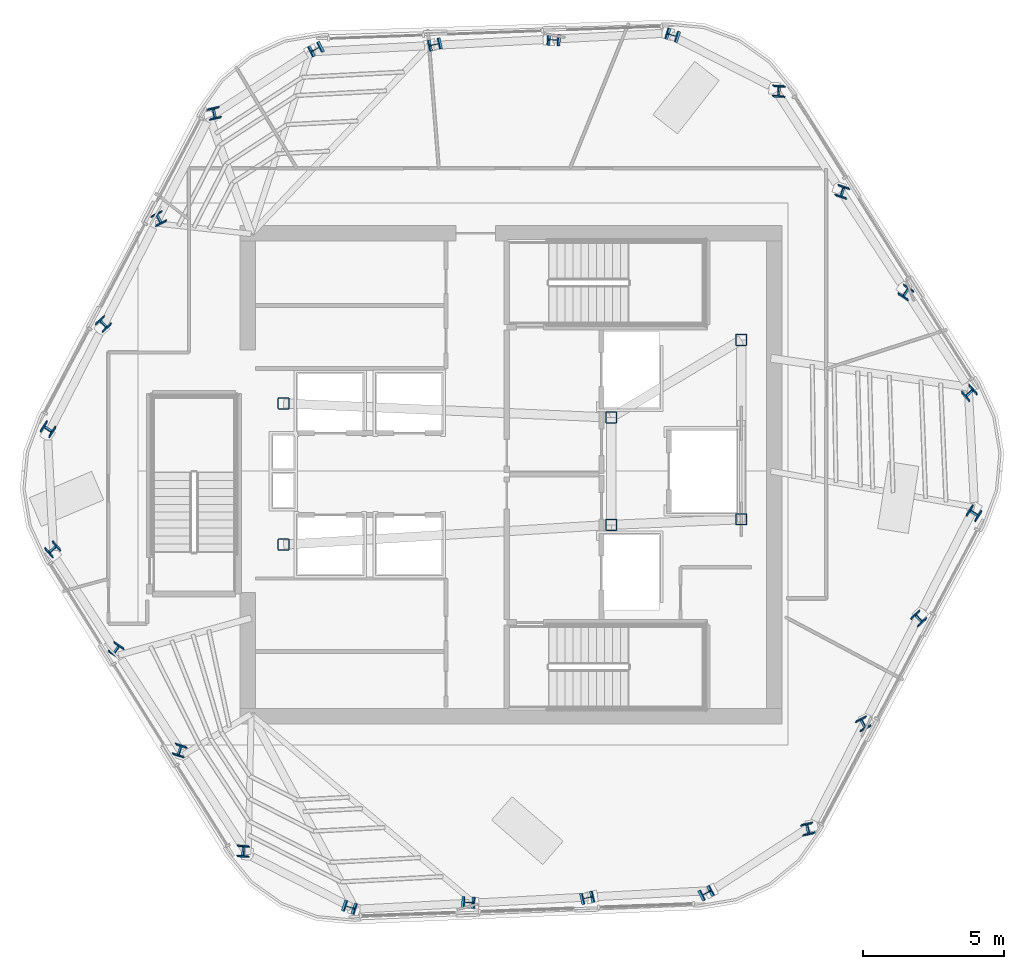
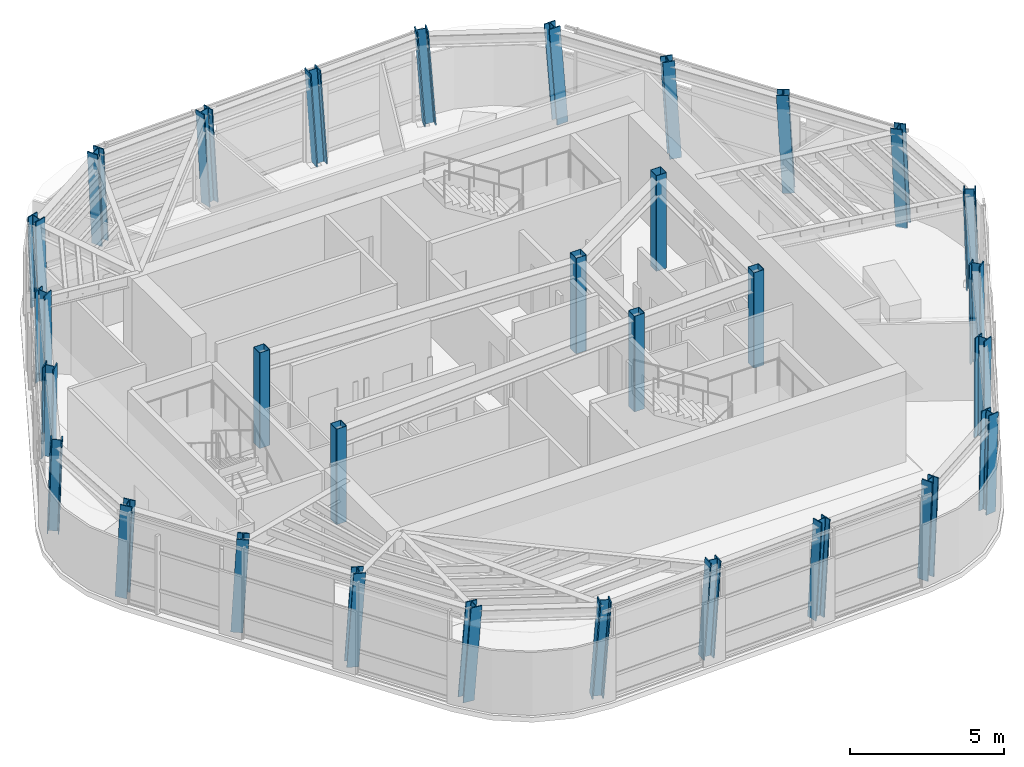
# One storey, part 1 of 13: 30 columns.
"""IFC4 building model written with IfcOpenShell, lengths in metres."""

from ifc_helpers import new_model, si_unit, direction, frame, origin, origin_2d, place, context, subcontext, project, spatial, hollow_rectangle, i_section, extrude, material, material_profile, profile_set, type_object, element, save


model = new_model("IFC4")

# Units and contexts
model_context = context("Model", 3, precision=1e-05, world=origin(), true_north=direction((0.0, 1.0)))
body_context = subcontext(model_context, "Body", "Model", "MODEL_VIEW")
ifc_project = project(units=[si_unit("LENGTHUNIT", "METRE"), si_unit("AREAUNIT", "SQUARE_METRE"), si_unit("VOLUMEUNIT", "CUBIC_METRE"), si_unit("PLANEANGLEUNIT", "RADIAN"), si_unit("MASSUNIT", "GRAM", prefix="KILO")], contexts=[model_context])

# Site, building, storey
site_placement = place(None, origin())
site = spatial("IfcSite", under=ifc_project, at=site_placement, CompositionType="ELEMENT")
building_placement = place(site_placement, origin())
building = spatial("IfcBuilding", under=site, at=building_placement, Name="Valkerne Bourse Tower", CompositionType="ELEMENT")
storey_placement = place(building_placement, frame((0.0, 0.0, 292.60009765625)))
storey = spatial("IfcBuildingStorey", under=building, at=storey_placement, Name="L74", CompositionType="ELEMENT", Elevation=292.60009765625)

# Columns
ifc_material_1 = material(Name="Steel ASTM A500 Grade C", Category="steel")
ifc_material_profile_1 = material_profile(ifc_material_1, hollow_rectangle(XDim=0.39990234375, YDim=0.39990234375, WallThickness=0.01611328125, OuterFilletRadius=0.031982421875, at=origin_2d()), Name="HSS400X400X16")
ifc_profile_set_1 = profile_set([ifc_material_profile_1], Name="Steel ASTM A500 Grade C")
column_type_1 = type_object("IfcColumnType", Name="COL-HSS400X400X16", PredefinedType="COLUMN", material=ifc_profile_set_1)
for number, where, z_axis, x_axis, name in (
    (1, (38.75, 24.39990234375, 0.0048828125), (0.0, 0.0, 1.0), (1.0, 0.0, 0.0), "L74 Core Frame Column CC-SW"),
    (2, (38.75, 29.39990234375, 0.0048828125), (0.0, 0.0, 1.0), (1.0, 0.0, 0.0), "L74 Core Frame Column CC-NW"),
    (3, (50.35009765625, 25.10009765625, 0.0048828125), (0.0, 0.0, 1.0), (1.0, 0.0, 0.0), "L74 Core Frame Column CC-CE1"),
    (4, (50.35009765625, 28.89990234375, 0.0048828125), (0.0, 0.0, 1.0), (1.0, 0.0, 0.0), "L74 Core Frame Column CC-CE2"),
    (5, (54.949951171875, 25.300048828125, 0.0048828125), (0.0, 0.0, 1.0), (1.0, 0.0, 0.0), "L74 Core Frame Column CC-SE"),
    (6, (54.949951171875, 31.64990234375, 0.0048828125), (0.0, 0.0, 1.0), (1.0, 0.0, 0.0), "L74 Core Frame Column CC-NE"),
):
    element("IfcColumn", number, at=place(storey_placement, frame(where, z_axis=z_axis, x_axis=x_axis)), inside=storey, type_object=column_type_1, Name=name, PredefinedType="COLUMN", context=body_context, shape_type="SweptSolid", body=[
        extrude(hollow_rectangle(XDim=0.39990234375, YDim=0.39990234375, WallThickness=0.01611328125, OuterFilletRadius=0.031982421875, at=origin_2d()), origin(), (0.0, 0.0, 1.0), 3.794921875),
    ])
ifc_material_2 = material(Name="Steel ASTM A913 Grade 65", Category="steel")
ifc_material_profile_2 = material_profile(ifc_material_2, i_section(OverallWidth=0.4013671875, OverallDepth=0.398681640625, WebThickness=0.02490234375, FlangeThickness=0.03955078125, FilletRadius=0.025390625, at=origin_2d()), Name="W14X211")
ifc_profile_set_2 = profile_set([ifc_material_profile_2], Name="Steel ASTM A913 Grade 65")
column_type_2 = type_object("IfcColumnType", Name="COL-W14X211", PredefinedType="COLUMN", material=ifc_profile_set_2)
column_1_placement = place(storey_placement, frame((52.556884765625, 42.420166015625, 0.010009765625), z_axis=(-0.064097808272, 0.023320006628, 0.997671112274), x_axis=(0.307309806545, 0.951606239893, -0.002499399582)))
element("IfcColumn", 7, at=column_1_placement, inside=storey, type_object=column_type_2, Name="L74 Helical Perimeter Tube Column F1-C1", PredefinedType="COLUMN", context=body_context, shape_type="SweptSolid", body=[
    extrude(i_section(OverallWidth=0.4013671875, OverallDepth=0.398681640625, WebThickness=0.02490234375, FlangeThickness=0.03955078125, FilletRadius=0.025390625, at=origin_2d()), origin(), (0.0, 0.0, 1.0), 3.789794921875),
])
for number, where, z_axis, x_axis, name in (
    (8, (48.34765625, 42.265625, 0.010009765625), (-0.063344003549, 0.005928431665, 0.997974143409), (0.056710885815, 0.998387920829, -0.002331302897), "L74 Helical Perimeter Tube Column F1-C2"),
    (9, (44.138427734375, 42.111328125, 0.010009765625), (-0.062570713096, -0.011534662867, 0.997973876119), (-0.21713304853, 0.976139233689, -0.002331456531), "L74 Helical Perimeter Tube Column F1-C3"),
):
    element("IfcColumn", number, at=place(storey_placement, frame(where, z_axis=z_axis, x_axis=x_axis)), inside=storey, type_object=column_type_2, Name=name, PredefinedType="COLUMN", context=body_context, shape_type="SweptSolid", body=[
        extrude(i_section(OverallWidth=0.4013671875, OverallDepth=0.398681640625, WebThickness=0.02490234375, FlangeThickness=0.03955078125, FilletRadius=0.025390625, at=origin_2d()), origin(), (0.0, 0.0, 1.0), 3.78857421875),
    ])
for number, where, z_axis, x_axis, name in (
    (10, (39.92919921875, 41.95703125, 0.010009765625), (-0.06171448989, -0.028924640877, 0.997674639794), (-0.457203473221, 0.889358615254, -0.002497508174), "L74 Helical Perimeter Tube Column F1-C4"),
    (11, (36.32421875, 39.695556640625, 0.010009765625), (-0.052244648004, -0.04380562348, 0.997673074763), (-0.976284693911, -0.207936466773, -0.06025464481), "L74 Helical Perimeter Tube Column F2-C1"),
):
    element("IfcColumn", number, at=place(storey_placement, frame(where, z_axis=z_axis, x_axis=x_axis)), inside=storey, type_object=column_type_2, Name=name, PredefinedType="COLUMN", context=body_context, shape_type="SweptSolid", body=[
        extrude(i_section(OverallWidth=0.4013671875, OverallDepth=0.398681640625, WebThickness=0.02490234375, FlangeThickness=0.03955078125, FilletRadius=0.025390625, at=origin_2d()), origin(), (0.0, 0.0, 1.0), 3.789794921875),
    ])
for number, where, z_axis, x_axis, name in (
    (12, (34.353271484375, 35.97314453125, 0.010009765625), (-0.03679499249, -0.051873851059, 0.997975566887), (-0.891933765004, -0.448659142888, -0.056206159349), "L74 Helical Perimeter Tube Column F2-C2"),
    (13, (32.38232421875, 32.250732421875, 0.010009765625), (-0.0212650687, -0.059928829972, 0.997976118047), (-0.735931829496, -0.674719252133, -0.056198515414), "L74 Helical Perimeter Tube Column F2-C3"),
):
    element("IfcColumn", number, at=place(storey_placement, frame(where, z_axis=z_axis, x_axis=x_axis)), inside=storey, type_object=column_type_2, Name=name, PredefinedType="COLUMN", context=body_context, shape_type="SweptSolid", body=[
        extrude(i_section(OverallWidth=0.4013671875, OverallDepth=0.398681640625, WebThickness=0.02490234375, FlangeThickness=0.03955078125, FilletRadius=0.025390625, at=origin_2d()), origin(), (0.0, 0.0, 1.0), 3.78857421875),
    ])
for number, where, z_axis, x_axis, name in (
    (14, (30.41162109375, 28.5283203125, 0.010009765625), (-0.005862208728, -0.067962969319, 0.997670621653), (-0.541969852334, -0.838232804118, -0.06028636049), "L74 Helical Perimeter Tube Column F2-C4"),
    (15, (30.5673828125, 24.275390625, 0.010009765625), (0.011853298676, -0.067125745761, 0.997674111906), (0.67026855364, -0.739868745927, -0.057743439473), "L74 Helical Perimeter Tube Column F3-C1"),
):
    element("IfcColumn", number, at=place(storey_placement, frame(where, z_axis=z_axis, x_axis=x_axis)), inside=storey, type_object=column_type_2, Name=name, PredefinedType="COLUMN", context=body_context, shape_type="SweptSolid", body=[
        extrude(i_section(OverallWidth=0.4013671875, OverallDepth=0.398681640625, WebThickness=0.02490234375, FlangeThickness=0.03955078125, FilletRadius=0.025390625, at=origin_2d()), origin(), (0.0, 0.0, 1.0), 3.789794921875),
    ])
for number, where, z_axis, x_axis, name in (
    (16, (32.8056640625, 20.70751953125, 0.010009765625), (0.026548986648, -0.057866480607, 0.997971252958), (0.835526723764, -0.546796421533, -0.053932988747), "L74 Helical Perimeter Tube Column F3-C2"),
    (17, (35.0439453125, 17.139404296875, 0.010009765625), (0.041241233701, -0.048458449598, 0.997973416132), (0.952603782176, -0.299400008797, -0.053904256939), "L74 Helical Perimeter Tube Column F3-C3"),
):
    element("IfcColumn", number, at=place(storey_placement, frame(where, z_axis=z_axis, x_axis=x_axis)), inside=storey, type_object=column_type_2, Name=name, PredefinedType="COLUMN", context=body_context, shape_type="SweptSolid", body=[
        extrude(i_section(OverallWidth=0.4013671875, OverallDepth=0.398681640625, WebThickness=0.02490234375, FlangeThickness=0.03955078125, FilletRadius=0.025390625, at=origin_2d()), origin(), (0.0, 0.0, 1.0), 3.78857421875),
    ])
for number, where, z_axis, x_axis, name in (
    (18, (37.2822265625, 13.5712890625, 0.010009765625), (0.055980745631, -0.039038356562, 0.997668363153), (0.99719440489, -0.047547686373, -0.05781467268), "L74 Helical Perimeter Tube Column F3-C4"),
    (19, (41.043212890625, 11.579833984375, 0.010009765625), (0.064097808272, -0.023320006628, 0.997671112274), (0.307309806545, 0.951606239893, 0.002499399582), "L74 Helical Perimeter Tube Column F4-C1"),
):
    element("IfcColumn", number, at=place(storey_placement, frame(where, z_axis=z_axis, x_axis=x_axis)), inside=storey, type_object=column_type_2, Name=name, PredefinedType="COLUMN", context=body_context, shape_type="SweptSolid", body=[
        extrude(i_section(OverallWidth=0.4013671875, OverallDepth=0.398681640625, WebThickness=0.02490234375, FlangeThickness=0.03955078125, FilletRadius=0.025390625, at=origin_2d()), origin(), (0.0, 0.0, 1.0), 3.789794921875),
    ])
for number, where, z_axis, x_axis, name in (
    (20, (45.25244140625, 11.734375, 0.010009765625), (0.063279822243, -0.005928455852, 0.997978214947), (0.056805062872, 0.998382572349, 0.002328961382), "L74 Helical Perimeter Tube Column F4-C2"),
    (21, (49.46142578125, 11.888671875, 0.010009765625), (0.062570713096, 0.011534662867, 0.997973876119), (-0.21713304853, 0.976139233689, 0.002331456531), "L74 Helical Perimeter Tube Column F4-C3"),
):
    element("IfcColumn", number, at=place(storey_placement, frame(where, z_axis=z_axis, x_axis=x_axis)), inside=storey, type_object=column_type_2, Name=name, PredefinedType="COLUMN", context=body_context, shape_type="SweptSolid", body=[
        extrude(i_section(OverallWidth=0.4013671875, OverallDepth=0.398681640625, WebThickness=0.02490234375, FlangeThickness=0.03955078125, FilletRadius=0.025390625, at=origin_2d()), origin(), (0.0, 0.0, 1.0), 3.78857421875),
    ])
for number, where, z_axis, x_axis, name in (
    (22, (53.670654296875, 12.04296875, 0.010009765625), (0.061778664287, 0.028924525824, 0.997670671336), (-0.45684687011, 0.889541842238, 0.002499635906), "L74 Helical Perimeter Tube Column F4-C4"),
    (23, (57.275634765625, 14.304443359375, 0.010009765625), (0.052308891879, 0.043805475958, 0.997669714939), (-0.976408379945, -0.207342270773, 0.060298078946), "L74 Helical Perimeter Tube Column F5-C1"),
):
    element("IfcColumn", number, at=place(storey_placement, frame(where, z_axis=z_axis, x_axis=x_axis)), inside=storey, type_object=column_type_2, Name=name, PredefinedType="COLUMN", context=body_context, shape_type="SweptSolid", body=[
        extrude(i_section(OverallWidth=0.4013671875, OverallDepth=0.398681640625, WebThickness=0.02490234375, FlangeThickness=0.03955078125, FilletRadius=0.025390625, at=origin_2d()), origin(), (0.0, 0.0, 1.0), 3.789794921875),
    ])
for number, where, z_axis, x_axis, name in (
    (24, (59.24658203125, 18.02685546875, 0.010009765625), (0.03679499249, 0.051873851059, 0.997975566887), (-0.891933765004, -0.448659142888, 0.056206159349), "L74 Helical Perimeter Tube Column F5-C2"),
    (25, (61.217529296875, 21.749267578125, 0.010009765625), (0.02132947903, 0.059928747727, 0.997974748438), (-0.736575241105, -0.674015211954, 0.056217508357), "L74 Helical Perimeter Tube Column F5-C3"),
):
    element("IfcColumn", number, at=place(storey_placement, frame(where, z_axis=z_axis, x_axis=x_axis)), inside=storey, type_object=column_type_2, Name=name, PredefinedType="COLUMN", context=body_context, shape_type="SweptSolid", body=[
        extrude(i_section(OverallWidth=0.4013671875, OverallDepth=0.398681640625, WebThickness=0.02490234375, FlangeThickness=0.03955078125, FilletRadius=0.025390625, at=origin_2d()), origin(), (0.0, 0.0, 1.0), 3.78857421875),
    ])
for number, where, z_axis, x_axis, name in (
    (26, (63.1884765625, 25.4716796875, 0.010009765625), (0.005797791029, 0.067962994844, 0.997670996347), (-0.541180911173, -0.838742725786, 0.060281517254), "L74 Helical Perimeter Tube Column F5-C4"),
    (27, (63.03271484375, 29.724609375, 0.010009765625), (-0.011853298676, 0.067125745761, 0.997674111906), (0.67026855364, -0.739868745927, 0.057743439473), "L74 Helical Perimeter Tube Column F6-C1"),
):
    element("IfcColumn", number, at=place(storey_placement, frame(where, z_axis=z_axis, x_axis=x_axis)), inside=storey, type_object=column_type_2, Name=name, PredefinedType="COLUMN", context=body_context, shape_type="SweptSolid", body=[
        extrude(i_section(OverallWidth=0.4013671875, OverallDepth=0.398681640625, WebThickness=0.02490234375, FlangeThickness=0.03955078125, FilletRadius=0.025390625, at=origin_2d()), origin(), (0.0, 0.0, 1.0), 3.789794921875),
    ])
for number, where, z_axis, x_axis, name in (
    (28, (60.794189453125, 33.29248046875, 0.010009765625), (-0.026484592615, 0.057866579485, 0.997972958217), (0.835023737659, -0.54756646423, 0.053910340354), "L74 Helical Perimeter Tube Column F6-C2"),
    (29, (58.55615234375, 36.860595703125, 0.010009765625), (-0.041305563271, 0.048458320717, 0.997970761894), (0.952832786386, -0.298664042955, 0.053939509032), "L74 Helical Perimeter Tube Column F6-C3"),
):
    element("IfcColumn", number, at=place(storey_placement, frame(where, z_axis=z_axis, x_axis=x_axis)), inside=storey, type_object=column_type_2, Name=name, PredefinedType="COLUMN", context=body_context, shape_type="SweptSolid", body=[
        extrude(i_section(OverallWidth=0.4013671875, OverallDepth=0.398681640625, WebThickness=0.02490234375, FlangeThickness=0.03955078125, FilletRadius=0.025390625, at=origin_2d()), origin(), (0.0, 0.0, 1.0), 3.78857421875),
    ])
column_2_placement = place(storey_placement, frame((56.31787109375, 40.4287109375, 0.010009765625), z_axis=(-0.055980745631, 0.039038356562, 0.997668363153), x_axis=(0.99719440489, -0.047547686373, 0.05781467268)))
element("IfcColumn", 30, at=column_2_placement, inside=storey, type_object=column_type_2, Name="L74 Helical Perimeter Tube Column F6-C4", PredefinedType="COLUMN", context=body_context, shape_type="SweptSolid", body=[
    extrude(i_section(OverallWidth=0.4013671875, OverallDepth=0.398681640625, WebThickness=0.02490234375, FlangeThickness=0.03955078125, FilletRadius=0.025390625, at=origin_2d()), origin(), (0.0, 0.0, 1.0), 3.789794921875),
])

save(model, "model.ifc")
